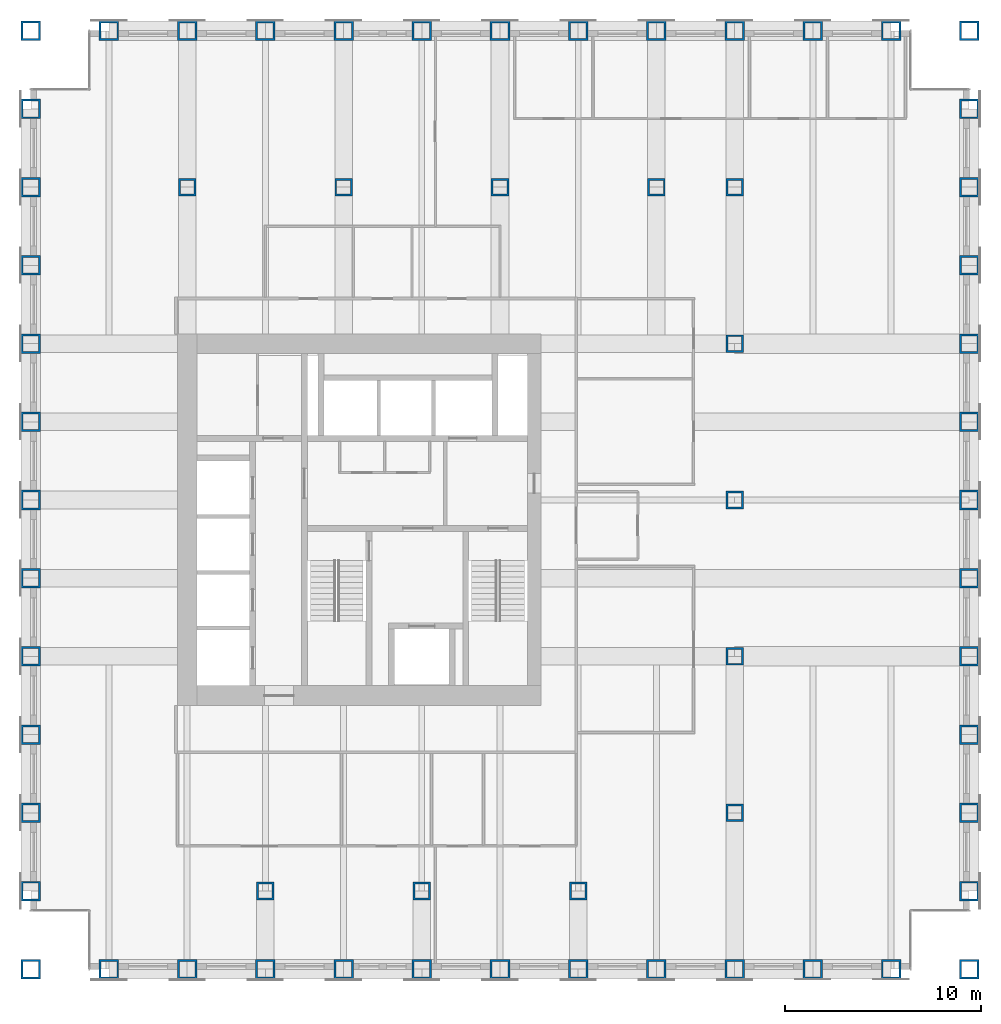
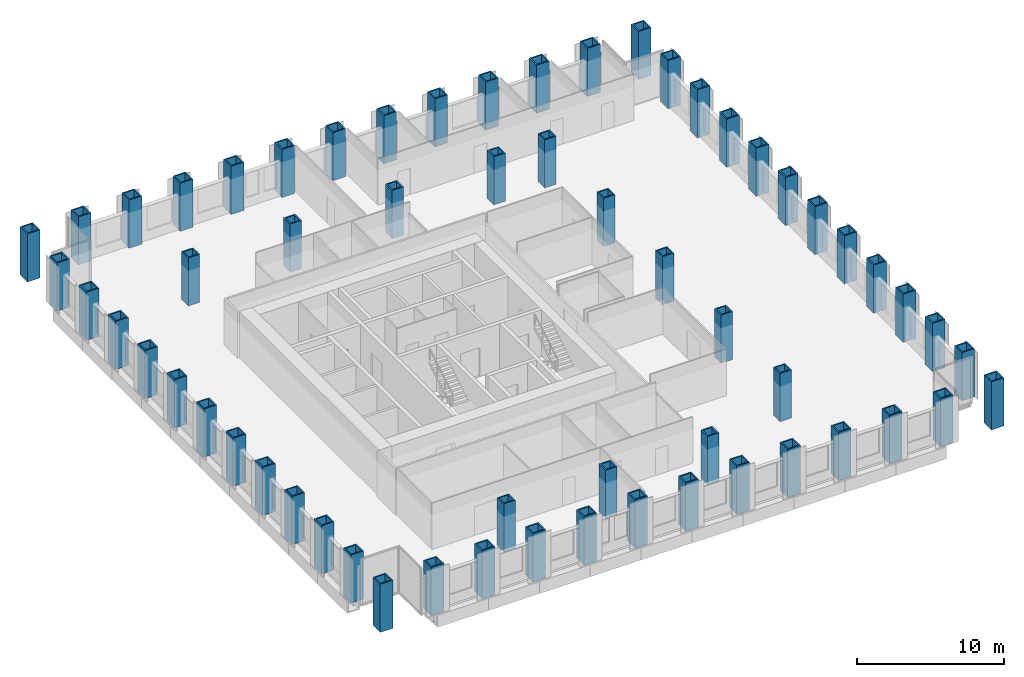
# One storey, part 1 of 15: 60 columns.
"""IFC4 building model written with IfcOpenShell, lengths in metres."""

from ifc_helpers import new_model, si_unit, direction, frame, origin, origin_2d, place, context, subcontext, project, spatial, hollow_rectangle, extrude, material, material_profile, profile_set, type_object, element, save


model = new_model("IFC4")

# Units and contexts
model_context = context("Model", 3, precision=1e-05, world=origin(), true_north=direction((0.0, 1.0)))
body_context = subcontext(model_context, "Body", "Model", "MODEL_VIEW")
ifc_project = project(units=[si_unit("LENGTHUNIT", "METRE"), si_unit("AREAUNIT", "SQUARE_METRE"), si_unit("VOLUMEUNIT", "CUBIC_METRE"), si_unit("PLANEANGLEUNIT", "RADIAN"), si_unit("MASSUNIT", "GRAM", prefix="KILO")], contexts=[model_context])

# Site, building, storey
site_placement = place(None, origin())
site = spatial("IfcSite", under=ifc_project, at=site_placement, CompositionType="ELEMENT")
building_placement = place(site_placement, origin())
building = spatial("IfcBuilding", under=site, at=building_placement, Name="Rimbunsela Tower", CompositionType="ELEMENT")
storey_placement = place(building_placement, frame((0.0, 0.0, 117.39990234375)))
storey = spatial("IfcBuildingStorey", under=building, at=storey_placement, Name="L28", CompositionType="ELEMENT", Elevation=117.39990234375)

# Columns
ifc_material_1 = material(Name="Steel BJ 55 (fy 410 MPa)", Category="steel")
ifc_material_profile_1 = material_profile(ifc_material_1, hollow_rectangle(XDim=1.0, YDim=1.0, WallThickness=0.10009765625, at=origin_2d()), Name="BOX 1000x1000x100")
ifc_profile_set_1 = profile_set([ifc_material_profile_1], Name="Steel BJ 55 (fy 410 MPa)")
column_type_1 = type_object("IfcColumnType", Name="Column BOX 1000x1000x100", PredefinedType="COLUMN", material=ifc_profile_set_1)
for number, where, z_axis, x_axis, name in (
    (1, (10.0, 4.0, 0.0), (0.0, 0.0, 1.0), (1.0, 0.0, 0.0), "Column C1 5/C L28"),
    (2, (10.0, 8.0, 0.0), (0.0, 0.0, 1.0), (1.0, 0.0, 0.0), "Column C1 5/D L28"),
    (3, (10.0, 12.0, 0.0), (0.0, 0.0, 1.0), (1.0, 0.0, 0.0), "Column C1 5/E L28"),
    (4, (10.0, 16.0, 0.0), (0.0, 0.0, 1.0), (1.0, 0.0, 0.0), "Column C1 5/F L28"),
    (5, (10.0, 20.0, 0.0), (0.0, 0.0, 1.0), (1.0, 0.0, 0.0), "Column C1 5/G L28"),
    (6, (10.0, 24.0, 0.0), (0.0, 0.0, 1.0), (1.0, 0.0, 0.0), "Column C1 5/H L28"),
    (7, (10.0, 28.0, 0.0), (0.0, 0.0, 1.0), (1.0, 0.0, 0.0), "Column C1 5/J L28"),
    (8, (10.0, 32.0, 0.0), (0.0, 0.0, 1.0), (1.0, 0.0, 0.0), "Column C1 5/K L28"),
    (9, (10.0, 36.0, 0.0), (0.0, 0.0, 1.0), (1.0, 0.0, 0.0), "Column C1 5/L L28"),
    (10, (10.0, 40.0, 0.0), (0.0, 0.0, 1.0), (1.0, 0.0, 0.0), "Column C1 5/M L28"),
    (11, (10.0, 44.0, 0.0), (0.0, 0.0, 1.0), (1.0, 0.0, 0.0), "Column C1 5/N L28"),
    (12, (10.0, 48.0, 0.0), (0.0, 0.0, 1.0), (1.0, 0.0, 0.0), "Column C1 5/P L28"),
    (13, (10.0, 52.0, 0.0), (0.0, 0.0, 1.0), (1.0, 0.0, 0.0), "Column C1 5/Q L28"),
    (14, (14.0, 4.0, 0.0), (0.0, 0.0, 1.0), (1.0, 0.0, 0.0), "Column C1 6/C L28"),
    (15, (14.0, 52.0, 0.0), (0.0, 0.0, 1.0), (1.0, 0.0, 0.0), "Column C1 6/Q L28"),
    (16, (18.0, 4.0, 0.0), (0.0, 0.0, 1.0), (1.0, 0.0, 0.0), "Column C1 7/C L28"),
    (17, (18.0, 52.0, 0.0), (0.0, 0.0, 1.0), (1.0, 0.0, 0.0), "Column C1 7/Q L28"),
    (18, (22.0, 4.0, 0.0), (0.0, 0.0, 1.0), (1.0, 0.0, 0.0), "Column C1 8/C L28"),
    (19, (22.0, 52.0, 0.0), (0.0, 0.0, 1.0), (1.0, 0.0, 0.0), "Column C1 8/Q L28"),
    (20, (26.0, 4.0, 0.0), (0.0, 0.0, 1.0), (1.0, 0.0, 0.0), "Column C1 9/C L28"),
    (21, (26.0, 52.0, 0.0), (0.0, 0.0, 1.0), (1.0, 0.0, 0.0), "Column C1 9/Q L28"),
    (22, (30.0, 4.0, 0.0), (0.0, 0.0, 1.0), (1.0, 0.0, 0.0), "Column C1 10/C L28"),
    (23, (30.0, 52.0, 0.0), (0.0, 0.0, 1.0), (1.0, 0.0, 0.0), "Column C1 10/Q L28"),
    (24, (34.0, 4.0, 0.0), (0.0, 0.0, 1.0), (1.0, 0.0, 0.0), "Column C1 11/C L28"),
    (25, (34.0, 52.0, 0.0), (0.0, 0.0, 1.0), (1.0, 0.0, 0.0), "Column C1 11/Q L28"),
    (26, (38.0, 4.0, 0.0), (0.0, 0.0, 1.0), (1.0, 0.0, 0.0), "Column C1 12/C L28"),
    (27, (38.0, 52.0, 0.0), (0.0, 0.0, 1.0), (1.0, 0.0, 0.0), "Column C1 12/Q L28"),
    (28, (42.0, 4.0, 0.0), (0.0, 0.0, 1.0), (1.0, 0.0, 0.0), "Column C1 13/C L28"),
    (29, (42.0, 52.0, 0.0), (0.0, 0.0, 1.0), (1.0, 0.0, 0.0), "Column C1 13/Q L28"),
    (30, (46.0, 4.0, 0.0), (0.0, 0.0, 1.0), (1.0, 0.0, 0.0), "Column C1 14/C L28"),
    (31, (46.0, 52.0, 0.0), (0.0, 0.0, 1.0), (1.0, 0.0, 0.0), "Column C1 14/Q L28"),
    (32, (50.0, 4.0, 0.0), (0.0, 0.0, 1.0), (1.0, 0.0, 0.0), "Column C1 15/C L28"),
    (33, (50.0, 52.0, 0.0), (0.0, 0.0, 1.0), (1.0, 0.0, 0.0), "Column C1 15/Q L28"),
    (34, (54.0, 4.0, 0.0), (0.0, 0.0, 1.0), (1.0, 0.0, 0.0), "Column C1 16/C L28"),
    (35, (54.0, 52.0, 0.0), (0.0, 0.0, 1.0), (1.0, 0.0, 0.0), "Column C1 16/Q L28"),
    (36, (58.0, 4.0, 0.0), (0.0, 0.0, 1.0), (1.0, 0.0, 0.0), "Column C1 17/C L28"),
    (37, (58.0, 8.0, 0.0), (0.0, 0.0, 1.0), (1.0, 0.0, 0.0), "Column C1 17/D L28"),
    (38, (58.0, 12.0, 0.0), (0.0, 0.0, 1.0), (1.0, 0.0, 0.0), "Column C1 17/E L28"),
    (39, (58.0, 16.0, 0.0), (0.0, 0.0, 1.0), (1.0, 0.0, 0.0), "Column C1 17/F L28"),
    (40, (58.0, 20.0, 0.0), (0.0, 0.0, 1.0), (1.0, 0.0, 0.0), "Column C1 17/G L28"),
    (41, (58.0, 24.0, 0.0), (0.0, 0.0, 1.0), (1.0, 0.0, 0.0), "Column C1 17/H L28"),
    (42, (58.0, 28.0, 0.0), (0.0, 0.0, 1.0), (1.0, 0.0, 0.0), "Column C1 17/J L28"),
    (43, (58.0, 32.0, 0.0), (0.0, 0.0, 1.0), (1.0, 0.0, 0.0), "Column C1 17/K L28"),
    (44, (58.0, 36.0, 0.0), (0.0, 0.0, 1.0), (1.0, 0.0, 0.0), "Column C1 17/L L28"),
    (45, (58.0, 40.0, 0.0), (0.0, 0.0, 1.0), (1.0, 0.0, 0.0), "Column C1 17/M L28"),
    (46, (58.0, 44.0, 0.0), (0.0, 0.0, 1.0), (1.0, 0.0, 0.0), "Column C1 17/N L28"),
    (47, (58.0, 48.0, 0.0), (0.0, 0.0, 1.0), (1.0, 0.0, 0.0), "Column C1 17/P L28"),
    (48, (58.0, 52.0, 0.0), (0.0, 0.0, 1.0), (1.0, 0.0, 0.0), "Column C1 17/Q L28"),
):
    element("IfcColumn", number, at=place(storey_placement, frame(where, z_axis=z_axis, x_axis=x_axis)), inside=storey, type_object=column_type_1, Name=name, PredefinedType="COLUMN", context=body_context, shape_type="SweptSolid", body=[
        extrude(hollow_rectangle(XDim=1.0, YDim=1.0, WallThickness=0.10009765625, at=origin_2d()), origin(), (0.0, 0.0, 1.0), 4.0),
    ])
ifc_material_2 = material(Name="Steel BJ 55 (fy 410 MPa)", Category="steel")
ifc_material_profile_2 = material_profile(ifc_material_2, hollow_rectangle(XDim=0.89990234375, YDim=0.89990234375, WallThickness=0.10009765625, at=origin_2d()), Name="BOX 900x900x100")
ifc_profile_set_2 = profile_set([ifc_material_profile_2], Name="Steel BJ 55 (fy 410 MPa)")
column_type_2 = type_object("IfcColumnType", Name="Column BOX 900x900x100", PredefinedType="COLUMN", material=ifc_profile_set_2)
for number, where, z_axis, x_axis, name in (
    (49, (18.0, 44.0, 0.0), (0.0, 0.0, 1.0), (1.0, 0.0, 0.0), "Column C5 7/N L28"),
    (50, (22.0, 8.0, 0.0), (0.0, 0.0, 1.0), (1.0, 0.0, 0.0), "Column C5 8/D L28"),
    (51, (26.0, 44.0, 0.0), (0.0, 0.0, 1.0), (1.0, 0.0, 0.0), "Column C5 9/N L28"),
    (52, (30.0, 8.0, 0.0), (0.0, 0.0, 1.0), (1.0, 0.0, 0.0), "Column C5 10/D L28"),
    (53, (34.0, 44.0, 0.0), (0.0, 0.0, 1.0), (1.0, 0.0, 0.0), "Column C5 11/N L28"),
    (54, (38.0, 8.0, 0.0), (0.0, 0.0, 1.0), (1.0, 0.0, 0.0), "Column C5 12/D L28"),
    (55, (42.0, 44.0, 0.0), (0.0, 0.0, 1.0), (1.0, 0.0, 0.0), "Column C5 13/N L28"),
    (56, (46.0, 12.0, 0.0), (0.0, 0.0, 1.0), (1.0, 0.0, 0.0), "Column C5 14/E L28"),
    (57, (46.0, 20.0, 0.0), (0.0, 0.0, 1.0), (1.0, 0.0, 0.0), "Column C5 14/G L28"),
    (58, (46.0, 28.0, 0.0), (0.0, 0.0, 1.0), (1.0, 0.0, 0.0), "Column C5 14/J L28"),
    (59, (46.0, 36.0, 0.0), (0.0, 0.0, 1.0), (1.0, 0.0, 0.0), "Column C5 14/L L28"),
    (60, (46.0, 44.0, 0.0), (0.0, 0.0, 1.0), (1.0, 0.0, 0.0), "Column C5 14/N L28"),
):
    element("IfcColumn", number, at=place(storey_placement, frame(where, z_axis=z_axis, x_axis=x_axis)), inside=storey, type_object=column_type_2, Name=name, PredefinedType="COLUMN", context=body_context, shape_type="SweptSolid", body=[
        extrude(hollow_rectangle(XDim=0.89990234375, YDim=0.89990234375, WallThickness=0.10009765625, at=origin_2d()), origin(), (0.0, 0.0, 1.0), 4.0),
    ])

save(model, "model.ifc")
